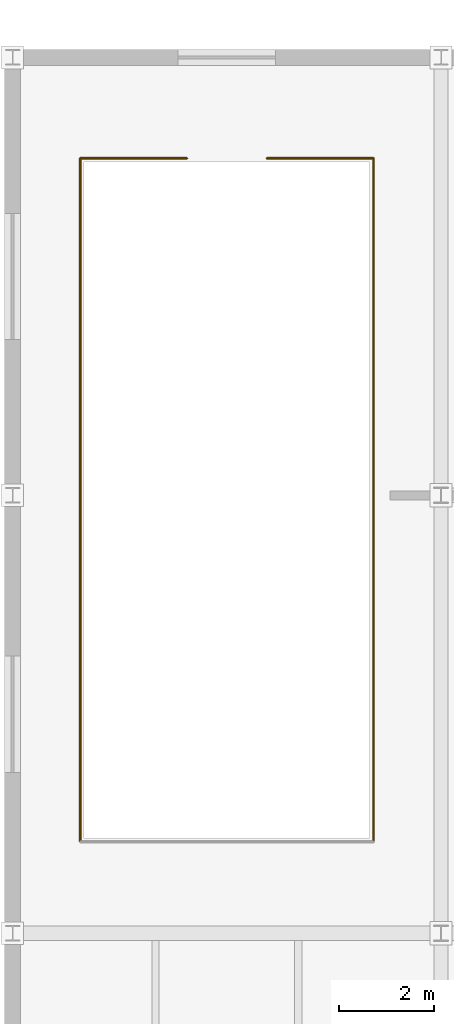
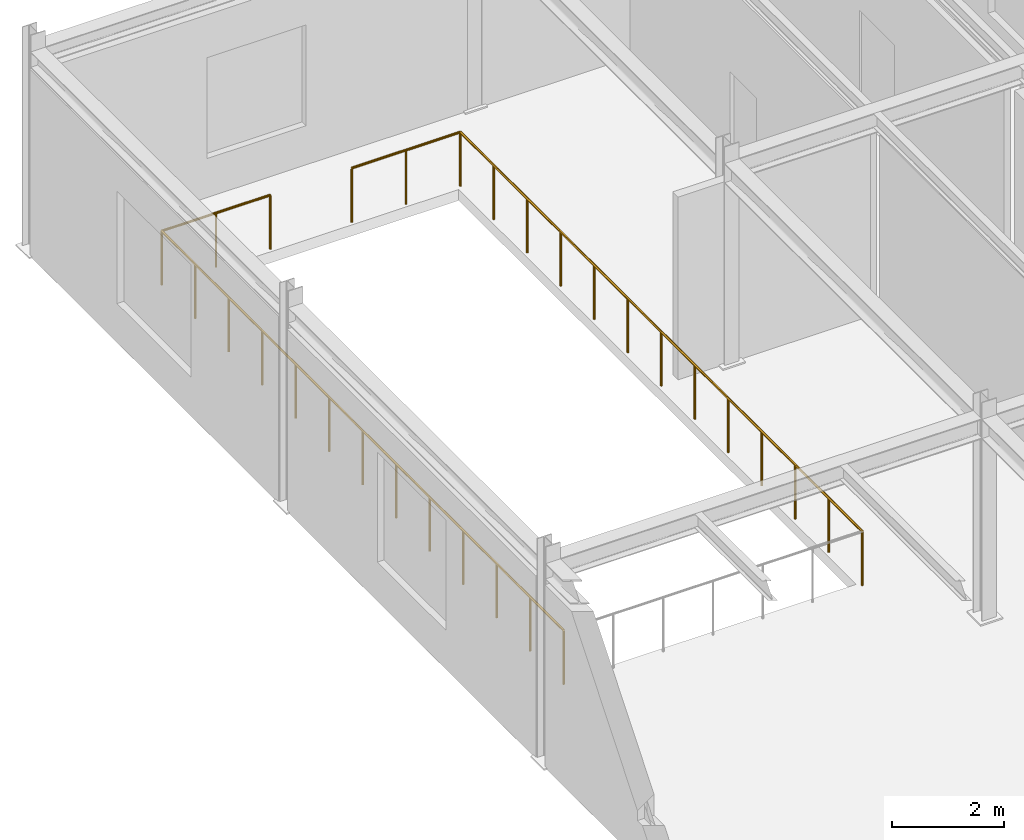
# One storey, part 89 of 90: 4 railings.
"""IFC4 building model written with IfcOpenShell, lengths in metres."""

import ifcopenshell
import ifcopenshell.guid

model = None  # the IFC model being written
_history = None  # IfcOwnerHistory: only IFC2X3 demands one
_inside = {}  # id of a spatial element -> (the spatial element, [elements in it])
_under = {}  # id of a project, library or spatial element -> (it, [spatial elements below it])
_declared = {}  # id of a project -> (the project, [libraries it declares])
_typed = {}  # id of a type object -> (the type object, [elements of that type])
_made_of = {}  # id of a material, layer set ... -> (it, [elements and type objects made of it])


def new_model(schema):
    """Start an empty IFC model of exactly this schema.

    Asked for "IFC4X3", IfcOpenShell would pick the latest addendum, in which some entities
    have other attributes; the version numbers below select the first issue.
    IFC2X3 requires an IfcOwnerHistory on every rooted entity: one is made here for all.
    """
    global model, _history
    if schema == "IFC4X3":
        model = ifcopenshell.file(schema_version=(4, 3, 0, 0))
    else:
        model = ifcopenshell.file(schema=schema)
    _inside.clear()
    _under.clear()
    _declared.clear()
    _typed.clear()
    _made_of.clear()
    _history = None
    if model.schema == "IFC2X3":
        org = make("IfcOrganization", Name="unknown")
        user = make(
            "IfcPersonAndOrganization",
            ThePerson=make("IfcPerson", FamilyName="unknown"),
            TheOrganization=org,
        )
        app = make(
            "IfcApplication",
            ApplicationDeveloper=org,
            Version="unknown",
            ApplicationFullName="unknown",
            ApplicationIdentifier="unknown",
        )
        _history = make(
            "IfcOwnerHistory",
            OwningUser=user,
            OwningApplication=app,
            ChangeAction="ADDED",
            CreationDate=0,
        )
    return model


def make(cls, **values):
    """One entity of the class cls with the attributes given. An attribute that is None is left unset."""
    return model.create_entity(
        cls, **{name: value for name, value in values.items() if value is not None}
    )


def rooted(cls, **values):
    """An entity with a GlobalId (a new one), such as an element, a storey or a relation."""
    return make(cls, GlobalId=ifcopenshell.guid.new(), OwnerHistory=_history, **values)


def si_unit(unit_type, name, prefix=None):
    """IfcSIUnit, for example si_unit("LENGTHUNIT", "METRE", prefix="MILLI")."""
    return make("IfcSIUnit", UnitType=unit_type, Prefix=prefix, Name=name)


def assignment(units):
    """IfcUnitAssignment: the units of a project."""
    return None if units is None else make("IfcUnitAssignment", Units=units)


def point(xyz):
    """IfcCartesianPoint."""
    return None if xyz is None else make("IfcCartesianPoint", Coordinates=xyz)


def direction(xyz):
    """IfcDirection."""
    return None if xyz is None else make("IfcDirection", DirectionRatios=xyz)


def frame(location, z_axis=None, x_axis=None):
    """IfcAxis2Placement3D, a coordinate frame: its origin and axes. An axis left out is left unset."""
    return make(
        "IfcAxis2Placement3D",
        Location=point(location),
        Axis=direction(z_axis),
        RefDirection=direction(x_axis),
    )


def frame_2d(location, x_axis=None):
    """IfcAxis2Placement2D, a coordinate frame in the plane: its origin and x axis."""
    return make(
        "IfcAxis2Placement2D", Location=point(location), RefDirection=direction(x_axis)
    )


def origin():
    """The frame at (0, 0, 0) with its axes left unset."""
    return frame((0.0, 0.0, 0.0))


def origin_2d():
    """The frame at (0, 0) in the plane with its x axis left unset."""
    return frame_2d((0.0, 0.0))


def place(relative_to, where):
    """IfcLocalPlacement: puts the frame where relative to a parent placement (None: the world)."""
    return make(
        "IfcLocalPlacement", PlacementRelTo=relative_to, RelativePlacement=where
    )


def context(
    kind, dimensions, precision=None, world=None, true_north=None, identifier=None
):
    """IfcGeometricRepresentationContext, for example the 3D "Model" context."""
    return make(
        "IfcGeometricRepresentationContext",
        ContextIdentifier=identifier,
        ContextType=kind,
        CoordinateSpaceDimension=dimensions,
        Precision=precision,
        WorldCoordinateSystem=world,
        TrueNorth=true_north,
    )


def subcontext(parent, identifier, kind, view, scale=None):
    """IfcGeometricRepresentationSubContext, for example "Body" below "Model"."""
    return make(
        "IfcGeometricRepresentationSubContext",
        ContextIdentifier=identifier,
        ContextType=kind,
        ParentContext=parent,
        TargetScale=scale,
        TargetView=view,
    )


def project(units=None, contexts=None):
    """IfcProject with its units and contexts."""
    return rooted(
        "IfcProject",
        Name="project",
        RepresentationContexts=contexts,
        UnitsInContext=assignment(units),
    )


def spatial(cls, under=None, at=None, **own):
    """A site, building, storey or space (cls), placed at a placement, below another one or the project."""
    s = rooted(cls, ObjectPlacement=at, **own)
    if under is not None:
        _under.setdefault(under.id(), (under, []))[1].append(s)
    return s


def profile(cls, at=None, kind="AREA", **sizes):
    """A parametric profile (cls). Its sizes go by their IFC names, for example OverallWidth=200.0."""
    return make(cls, ProfileType=kind, Position=at, **sizes)


def circle(**sizes):
    """IfcCircleProfileDef."""
    return profile("IfcCircleProfileDef", **sizes)


def extrude(swept, where, along, depth):
    """IfcExtrudedAreaSolid: the profile swept, set in the frame where, extruded along a direction by depth."""
    return make(
        "IfcExtrudedAreaSolid",
        SweptArea=swept,
        Position=where,
        ExtrudedDirection=direction(along),
        Depth=depth,
    )


def shape(context_of_items, identifier, shape_type, items):
    """IfcShapeRepresentation: the items that make up one representation, for example the "Body"."""
    return make(
        "IfcShapeRepresentation",
        ContextOfItems=context_of_items,
        RepresentationIdentifier=identifier,
        RepresentationType=shape_type,
        Items=items,
    )


def material(Name=None, Category=None):
    """IfcMaterial."""
    return make("IfcMaterial", Name=Name, Category=Category)


def made_of(thing, what):
    """Note that an element or type object is made of a material, layer set ...; save() writes the relation."""
    if what is not None:
        _made_of.setdefault(what.id(), (what, []))[1].append(thing)
    return thing


def type_object(cls, material=None, **own):
    """A type object (cls), such as IfcWallType, which elements share."""
    return made_of(rooted(cls, **own), material)


def element(
    cls,
    number,
    at=None,
    inside=None,
    cuts=None,
    type_object=None,
    material=None,
    context=None,
    identifier="Body",
    shape_type=None,
    held_by="IfcProductDefinitionShape",
    body=None,
    shapes=None,
    **own,
):
    """One element of the class cls, such as IfcWall. Its Tag is "e" and its number.

    at: its placement. inside: the storey or other place that contains it. cuts: it is an
    opening in that element (IfcRelVoidsElement). A single representation is given by context,
    identifier, shape_type and body (its items); several are given by shapes. held_by: the class
    of the entity that holds the representations. save() writes the other relations.
    """
    e = rooted(cls, Tag="e%d" % number, ObjectPlacement=at, **own)
    if body is not None:
        shapes = [shape(context, identifier, shape_type, body)]
    if shapes is not None:
        e.Representation = make(held_by, Representations=shapes)
    if inside is not None:
        _inside.setdefault(inside.id(), (inside, []))[1].append(e)
    if cuts is not None:
        rooted(
            "IfcRelVoidsElement", RelatingBuildingElement=cuts, RelatedOpeningElement=e
        )
    if type_object is not None:
        _typed.setdefault(type_object.id(), (type_object, []))[1].append(e)
    return made_of(e, material)


def aggregate(whole, parts):
    """IfcRelAggregates: a whole, such as a stair, and the parts it consists of."""
    return rooted("IfcRelAggregates", RelatingObject=whole, RelatedObjects=parts)


def save(model, path):
    """Write the relations noted so far, then the file.

    IfcRelAggregates (storeys below a building ...), IfcRelContainedInSpatialStructure (elements
    in a storey), IfcRelDefinesByType, IfcRelAssociatesMaterial and IfcRelDeclares: one each for
    every whole, place, type object, material and project.
    """
    for whole, parts in _under.values():
        aggregate(whole, parts)
    for where, things in _inside.values():
        rooted(
            "IfcRelContainedInSpatialStructure",
            RelatedElements=things,
            RelatingStructure=where,
        )
    for kind, things in _typed.values():
        rooted("IfcRelDefinesByType", RelatedObjects=things, RelatingType=kind)
    for what, things in _made_of.values():
        rooted("IfcRelAssociatesMaterial", RelatedObjects=things, RelatingMaterial=what)
    for by, libraries in _declared.values():
        rooted("IfcRelDeclares", RelatingContext=by, RelatedDefinitions=libraries)
    model.write(path)


model = new_model("IFC4")

# Units and contexts
model_context = context("Model", 3, precision=1e-05, world=origin(), true_north=direction((0.0, 1.0)))
body_context = subcontext(model_context, "Body", "Model", "MODEL_VIEW")
ifc_project = project(units=[si_unit("LENGTHUNIT", "METRE"), si_unit("AREAUNIT", "SQUARE_METRE"), si_unit("VOLUMEUNIT", "CUBIC_METRE"), si_unit("PLANEANGLEUNIT", "RADIAN"), si_unit("MASSUNIT", "GRAM", prefix="KILO")], contexts=[model_context])

# Site, building, storey
site_placement = place(None, origin())
site = spatial("IfcSite", under=ifc_project, at=site_placement, CompositionType="ELEMENT")
building_placement = place(site_placement, origin())
building = spatial("IfcBuilding", under=site, at=building_placement, Name="Bozkorgan Art Gallery", CompositionType="ELEMENT")
storey_placement = place(building_placement, frame((0.0, 0.0, 5.39990234375)))
storey = spatial("IfcBuildingStorey", under=building, at=storey_placement, Name="L01", CompositionType="ELEMENT", Elevation=5.39990234375)

# Railings
ifc_material = material(Name="Steel S355J2", Category="steel")
railing_type = type_object("IfcRailingType", Name="RAIL-BAL-INT", PredefinedType="BALUSTRADE", material=ifc_material)
railing_1_placement = place(storey_placement, frame((147.419921875, 31.1201171875, 0.0)))
element("IfcRailing", 1, at=railing_1_placement, inside=storey, type_object=railing_type, Name="V6 L01 studio_stair_atrium guard W", PredefinedType="BALUSTRADE", context=body_context, shape_type="SweptSolid", body=[
    extrude(circle(Radius=0.02392578125, at=origin_2d()), frame((0.0, 0.0, 1.17578125), z_axis=(0.0, 1.0, 0.0), x_axis=(-1.0, 0.0, 0.0)), (0.0, 0.0, 1.0), 14.35986328125),
    extrude(circle(Radius=0.02099609375, at=origin_2d()), origin(), (0.0, 0.0, 1.0), 1.15185546875),
    extrude(circle(Radius=0.02099609375, at=origin_2d()), frame((0.0, 1.19677734375, 0.0)), (0.0, 0.0, 1.0), 1.15185546875),
    extrude(circle(Radius=0.02099609375, at=origin_2d()), frame((0.0, 2.393310546875, 0.0)), (0.0, 0.0, 1.0), 1.15185546875),
    extrude(circle(Radius=0.02099609375, at=origin_2d()), frame((0.0, 3.58984375, 0.0)), (0.0, 0.0, 1.0), 1.15185546875),
    extrude(circle(Radius=0.02099609375, at=origin_2d()), frame((0.0, 4.78662109375, 0.0)), (0.0, 0.0, 1.0), 1.15185546875),
    extrude(circle(Radius=0.02099609375, at=origin_2d()), frame((0.0, 5.9833984375, 0.0)), (0.0, 0.0, 1.0), 1.15185546875),
    extrude(circle(Radius=0.02099609375, at=origin_2d()), frame((0.0, 7.179931640625, 0.0)), (0.0, 0.0, 1.0), 1.15185546875),
    extrude(circle(Radius=0.02099609375, at=origin_2d()), frame((0.0, 8.37646484375, 0.0)), (0.0, 0.0, 1.0), 1.15185546875),
    extrude(circle(Radius=0.02099609375, at=origin_2d()), frame((0.0, 9.5732421875, 0.0)), (0.0, 0.0, 1.0), 1.15185546875),
    extrude(circle(Radius=0.02099609375, at=origin_2d()), frame((0.0, 10.77001953125, 0.0)), (0.0, 0.0, 1.0), 1.15185546875),
    extrude(circle(Radius=0.02099609375, at=origin_2d()), frame((0.0, 11.966552734375, 0.0)), (0.0, 0.0, 1.0), 1.15185546875),
    extrude(circle(Radius=0.02099609375, at=origin_2d()), frame((0.0, 13.1630859375, 0.0)), (0.0, 0.0, 1.0), 1.15185546875),
    extrude(circle(Radius=0.02099609375, at=origin_2d()), frame((0.0, 14.35986328125, 0.0)), (0.0, 0.0, 1.0), 1.15185546875),
])
railing_2_placement = place(storey_placement, frame((153.580078125, 31.1201171875, 0.0)))
element("IfcRailing", 2, at=railing_2_placement, inside=storey, type_object=railing_type, Name="V6 L01 studio_stair_atrium guard E", PredefinedType="BALUSTRADE", context=body_context, shape_type="SweptSolid", body=[
    extrude(circle(Radius=0.02392578125, at=origin_2d()), frame((0.0, 0.0, 1.17578125), z_axis=(0.0, 1.0, 0.0), x_axis=(-1.0, 0.0, 0.0)), (0.0, 0.0, 1.0), 14.35986328125),
    extrude(circle(Radius=0.02099609375, at=origin_2d()), origin(), (0.0, 0.0, 1.0), 1.15185546875),
    extrude(circle(Radius=0.02099609375, at=origin_2d()), frame((0.0, 1.19677734375, 0.0)), (0.0, 0.0, 1.0), 1.15185546875),
    extrude(circle(Radius=0.02099609375, at=origin_2d()), frame((0.0, 2.393310546875, 0.0)), (0.0, 0.0, 1.0), 1.15185546875),
    extrude(circle(Radius=0.02099609375, at=origin_2d()), frame((0.0, 3.58984375, 0.0)), (0.0, 0.0, 1.0), 1.15185546875),
    extrude(circle(Radius=0.02099609375, at=origin_2d()), frame((0.0, 4.78662109375, 0.0)), (0.0, 0.0, 1.0), 1.15185546875),
    extrude(circle(Radius=0.02099609375, at=origin_2d()), frame((0.0, 5.9833984375, 0.0)), (0.0, 0.0, 1.0), 1.15185546875),
    extrude(circle(Radius=0.02099609375, at=origin_2d()), frame((0.0, 7.179931640625, 0.0)), (0.0, 0.0, 1.0), 1.15185546875),
    extrude(circle(Radius=0.02099609375, at=origin_2d()), frame((0.0, 8.37646484375, 0.0)), (0.0, 0.0, 1.0), 1.15185546875),
    extrude(circle(Radius=0.02099609375, at=origin_2d()), frame((0.0, 9.5732421875, 0.0)), (0.0, 0.0, 1.0), 1.15185546875),
    extrude(circle(Radius=0.02099609375, at=origin_2d()), frame((0.0, 10.77001953125, 0.0)), (0.0, 0.0, 1.0), 1.15185546875),
    extrude(circle(Radius=0.02099609375, at=origin_2d()), frame((0.0, 11.966552734375, 0.0)), (0.0, 0.0, 1.0), 1.15185546875),
    extrude(circle(Radius=0.02099609375, at=origin_2d()), frame((0.0, 13.1630859375, 0.0)), (0.0, 0.0, 1.0), 1.15185546875),
    extrude(circle(Radius=0.02099609375, at=origin_2d()), frame((0.0, 14.35986328125, 0.0)), (0.0, 0.0, 1.0), 1.15185546875),
])
for number, where, name in (
    (3, (147.419921875, 45.47998046875, 0.0), "V6 L01 studio_stair_atrium guard N1"),
    (4, (151.340087890625, 45.47998046875, 0.0), "V6 L01 studio_stair_atrium guard N2"),
):
    element("IfcRailing", number, at=place(storey_placement, frame(where)), inside=storey, type_object=railing_type, Name=name, PredefinedType="BALUSTRADE", context=body_context, shape_type="SweptSolid", body=[
        extrude(circle(Radius=0.02392578125, at=origin_2d()), frame((0.0, 0.0, 1.17578125), z_axis=(1.0, 0.0, 0.0), x_axis=(0.0, 1.0, 0.0)), (0.0, 0.0, 1.0), 2.239990234375),
        extrude(circle(Radius=0.02099609375, at=origin_2d()), origin(), (0.0, 0.0, 1.0), 1.15185546875),
        extrude(circle(Radius=0.02099609375, at=origin_2d()), frame((1.1201171875, 0.0, 0.0)), (0.0, 0.0, 1.0), 1.15185546875),
        extrude(circle(Radius=0.02099609375, at=origin_2d()), frame((2.239990234375, 0.0, 0.0)), (0.0, 0.0, 1.0), 1.15185546875),
    ])

save(model, "model.ifc")
